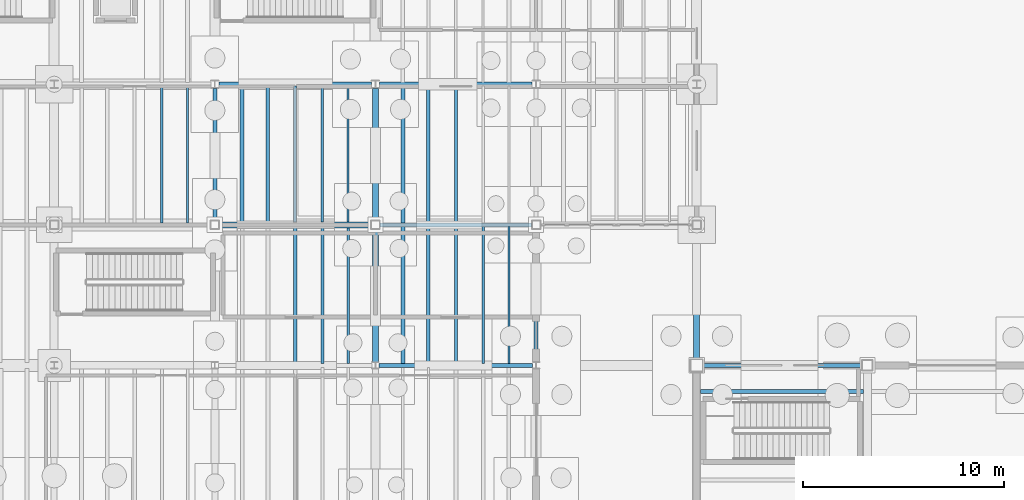
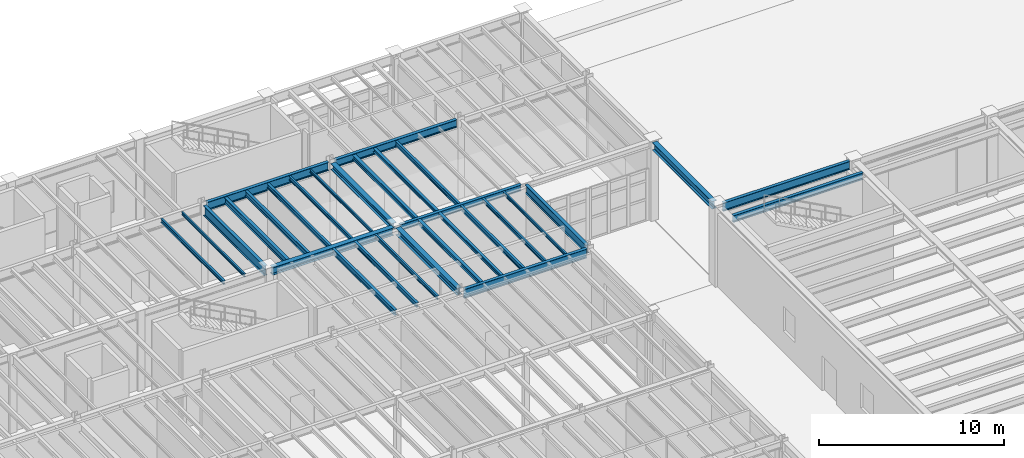
# One storey, part 29 of 86: 30 beams.
"""IFC4 building model written with IfcOpenShell, lengths in metres."""

from ifc_helpers import new_model, si_unit, direction, frame, origin, origin_2d, place, context, subcontext, project, spatial, i_section, extrude, material, material_profile, profile_set, type_object, element, save


model = new_model("IFC4")

# Units and contexts
model_context = context("Model", 3, precision=1e-05, world=origin(), true_north=direction((0.0, 1.0)))
body_context = subcontext(model_context, "Body", "Model", "MODEL_VIEW")
ifc_project = project(units=[si_unit("LENGTHUNIT", "METRE"), si_unit("AREAUNIT", "SQUARE_METRE"), si_unit("VOLUMEUNIT", "CUBIC_METRE"), si_unit("PLANEANGLEUNIT", "RADIAN"), si_unit("MASSUNIT", "GRAM", prefix="KILO"), si_unit("THERMODYNAMICTEMPERATUREUNIT", "KELVIN"), si_unit("POWERUNIT", "WATT")], contexts=[model_context])

# Site, building, storey
site_placement = place(None, origin())
site = spatial("IfcSite", under=ifc_project, at=site_placement, CompositionType="ELEMENT")
building_placement = place(site_placement, origin())
building = spatial("IfcBuilding", under=site, at=building_placement, Name="Zhenchuan Central Fire Station", CompositionType="ELEMENT")
storey_placement = place(building_placement, frame((0.0, 0.0, 0.449951171875)))
storey = spatial("IfcBuildingStorey", under=building, at=storey_placement, Name="L01", CompositionType="ELEMENT", Elevation=0.449951171875)

# Beams
ifc_material = material(Name="Steel Q355B", Category="steel")
ifc_material_profile_1 = material_profile(ifc_material, i_section(OverallWidth=0.300048828125, OverallDepth=0.389892578125, WebThickness=0.010009765625, FlangeThickness=0.01611328125, FilletRadius=0.02001953125, at=origin_2d()), Name="HM 390x300")
ifc_profile_set_1 = profile_set([ifc_material_profile_1], Name="Steel Q355B")
beam_type_1 = type_object("IfcBeamType", Name="BM-HM390-INT", PredefinedType="BEAM", material=ifc_profile_set_1)
beam_1_placement = place(storey_placement, frame((40.0, 42.72509765625, 4.965087890625), z_axis=(0.0, 1.0, 0.0), x_axis=(-1.0, 0.0, 0.0)))
element("IfcBeam", 1, at=beam_1_placement, inside=storey, type_object=beam_type_1, Name="L02 Girder NS 0140", PredefinedType="BEAM", context=body_context, shape_type="SweptSolid", body=[
    extrude(i_section(OverallWidth=0.300048828125, OverallDepth=0.389892578125, WebThickness=0.010009765625, FlangeThickness=0.01611328125, FilletRadius=0.02001953125, at=origin_2d()), origin(), (0.0, 0.0, 1.0), 6.574951171875),
])
ifc_material_profile_2 = material_profile(ifc_material, i_section(OverallWidth=0.300048828125, OverallDepth=0.43994140625, WebThickness=0.010986328125, FlangeThickness=0.01806640625, FilletRadius=0.02197265625, at=origin_2d()), Name="HM 440x300")
ifc_profile_set_2 = profile_set([ifc_material_profile_2], Name="Steel Q355B")
beam_type_2 = type_object("IfcBeamType", Name="BM-HM440-INT", PredefinedType="BEAM", material=ifc_profile_set_2)
beam_2_placement = place(storey_placement, frame((40.0, 35.675048828125, 4.93994140625), z_axis=(0.0, 1.0, 0.0), x_axis=(-1.0, 0.0, 0.0)))
element("IfcBeam", 2, at=beam_2_placement, inside=storey, type_object=beam_type_2, Name="L02 Girder NS 0139", PredefinedType="BEAM", context=body_context, shape_type="SweptSolid", body=[
    extrude(i_section(OverallWidth=0.300048828125, OverallDepth=0.43994140625, WebThickness=0.010986328125, FlangeThickness=0.01806640625, FilletRadius=0.02197265625, at=origin_2d()), origin(), (0.0, 0.0, 1.0), 6.599853515625),
])
ifc_material_profile_3 = material_profile(ifc_material, i_section(OverallWidth=0.300048828125, OverallDepth=0.5, WebThickness=0.010986328125, FlangeThickness=0.01806640625, FilletRadius=0.02197265625, at=origin_2d()), Name="HM 500x300")
ifc_profile_set_3 = profile_set([ifc_material_profile_3], Name="Steel Q355B")
beam_type_3 = type_object("IfcBeamType", Name="BM-HM500-INT", PredefinedType="BEAM", material=ifc_profile_set_3)
beam_3_placement = place(storey_placement, frame((32.22509765625, 42.5, 4.91015625), z_axis=(1.0, 0.0, 0.0), x_axis=(0.0, 1.0, 0.0)))
element("IfcBeam", 3, at=beam_3_placement, inside=storey, type_object=beam_type_3, Name="L02 Girder EW 0076", PredefinedType="BEAM", context=body_context, shape_type="SweptSolid", body=[
    extrude(i_section(OverallWidth=0.300048828125, OverallDepth=0.5, WebThickness=0.010986328125, FlangeThickness=0.01806640625, FilletRadius=0.02197265625, at=origin_2d()), origin(), (0.0, 0.0, 1.0), 7.5498046875),
])
beam_4_placement = place(storey_placement, frame((56.0, 35.824951171875, 4.949951171875), z_axis=(0.0, 1.0, 0.0), x_axis=(-1.0, 0.0, 0.0)))
element("IfcBeam", 4, at=beam_4_placement, inside=storey, type_object=beam_type_3, Name="L02 Girder NS 0149", PredefinedType="BEAM", context=body_context, shape_type="SweptSolid", body=[
    extrude(i_section(OverallWidth=0.300048828125, OverallDepth=0.5, WebThickness=0.010986328125, FlangeThickness=0.01806640625, FilletRadius=0.02197265625, at=origin_2d()), origin(), (0.0, 0.0, 1.0), 6.449951171875),
])
ifc_material_profile_4 = material_profile(ifc_material, i_section(OverallWidth=0.199951171875, OverallDepth=0.449951171875, WebThickness=0.009033203125, FlangeThickness=0.013916015625, FilletRadius=0.01806640625, at=origin_2d()), Name="HN 450x200")
ifc_profile_set_4 = profile_set([ifc_material_profile_4], Name="Steel Q355B")
beam_type_4 = type_object("IfcBeamType", Name="BM-HN450", PredefinedType="BEAM", material=ifc_profile_set_4)
beam_5_placement = place(storey_placement, frame((56.197021484375, 34.199951171875, 4.97509765625), z_axis=(1.0, 0.0, 0.0), x_axis=(0.0, 1.0, 0.0)))
element("IfcBeam", 5, at=beam_5_placement, inside=storey, type_object=beam_type_4, Name="Appliance Hall Secondary Floor Joist 0844", PredefinedType="BEAM", context=body_context, shape_type="SweptSolid", body=[
    extrude(i_section(OverallWidth=0.199951171875, OverallDepth=0.449951171875, WebThickness=0.009033203125, FlangeThickness=0.013916015625, FilletRadius=0.01806640625, at=origin_2d()), origin(), (0.0, 0.0, 1.0), 8.10595703125),
])
ifc_material_profile_5 = material_profile(ifc_material, i_section(OverallWidth=0.199951171875, OverallDepth=0.5, WebThickness=0.010009765625, FlangeThickness=0.01611328125, FilletRadius=0.02001953125, at=origin_2d()), Name="HN 500x200")
ifc_profile_set_5 = profile_set([ifc_material_profile_5], Name="Steel Q355B")
beam_type_5 = type_object("IfcBeamType", Name="BM-HN500-INT", PredefinedType="BEAM", material=ifc_profile_set_5)
beam_6_placement = place(storey_placement, frame((40.199951171875, 49.5, 4.949951171875), z_axis=(1.0, 0.0, 0.0), x_axis=(0.0, 1.0, 0.0)))
element("IfcBeam", 6, at=beam_6_placement, inside=storey, type_object=beam_type_5, Name="L02 Girder EW 0088", PredefinedType="BEAM", context=body_context, shape_type="SweptSolid", body=[
    extrude(i_section(OverallWidth=0.199951171875, OverallDepth=0.5, WebThickness=0.010009765625, FlangeThickness=0.01611328125, FilletRadius=0.02001953125, at=origin_2d()), origin(), (0.0, 0.0, 1.0), 7.60009765625),
])
ifc_material_profile_6 = material_profile(ifc_material, i_section(OverallWidth=0.199951171875, OverallDepth=0.550048828125, WebThickness=0.010009765625, FlangeThickness=0.01611328125, FilletRadius=0.02001953125, at=origin_2d()), Name="HN 550x200")
ifc_profile_set_6 = profile_set([ifc_material_profile_6], Name="Steel Q355B")
beam_type_6 = type_object("IfcBeamType", Name="BM-HN550-INT", PredefinedType="BEAM", material=ifc_profile_set_6)
beam_7_placement = place(storey_placement, frame((56.324951171875, 35.5, 4.925048828125), z_axis=(1.0, 0.0, 0.0), x_axis=(0.0, 1.0, 0.0)))
element("IfcBeam", 7, at=beam_7_placement, inside=storey, type_object=beam_type_6, Name="L02 Girder EW 0059", PredefinedType="BEAM", context=body_context, shape_type="SweptSolid", body=[
    extrude(i_section(OverallWidth=0.199951171875, OverallDepth=0.550048828125, WebThickness=0.010009765625, FlangeThickness=0.01611328125, FilletRadius=0.02001953125, at=origin_2d()), origin(), (0.0, 0.0, 1.0), 7.900146484375),
])
beam_8_placement = place(storey_placement, frame((32.199951171875, 49.5, 4.925048828125), z_axis=(1.0, 0.0, 0.0), x_axis=(0.0, 1.0, 0.0)))
element("IfcBeam", 8, at=beam_8_placement, inside=storey, type_object=beam_type_6, Name="L02 Girder EW 0087", PredefinedType="BEAM", context=body_context, shape_type="SweptSolid", body=[
    extrude(i_section(OverallWidth=0.199951171875, OverallDepth=0.550048828125, WebThickness=0.010009765625, FlangeThickness=0.01611328125, FilletRadius=0.02001953125, at=origin_2d()), origin(), (0.0, 0.0, 1.0), 7.60009765625),
])
beam_9_placement = place(storey_placement, frame((48.0, 35.675048828125, 4.925048828125), z_axis=(0.0, 1.0, 0.0), x_axis=(-1.0, 0.0, 0.0)))
element("IfcBeam", 9, at=beam_9_placement, inside=storey, type_object=beam_type_6, Name="L02 Girder NS 0146", PredefinedType="BEAM", context=body_context, shape_type="SweptSolid", body=[
    extrude(i_section(OverallWidth=0.199951171875, OverallDepth=0.550048828125, WebThickness=0.010009765625, FlangeThickness=0.01611328125, FilletRadius=0.02001953125, at=origin_2d()), origin(), (0.0, 0.0, 1.0), 6.599853515625),
])
ifc_material_profile_7 = material_profile(ifc_material, i_section(OverallWidth=0.199951171875, OverallDepth=0.60009765625, WebThickness=0.010986328125, FlangeThickness=0.01708984375, FilletRadius=0.02197265625, at=origin_2d()), Name="HN 600x200")
ifc_profile_set_7 = profile_set([ifc_material_profile_7], Name="Steel Q355B")
beam_type_7 = type_object("IfcBeamType", Name="BM-HN600-INT", PredefinedType="BEAM", material=ifc_profile_set_7)
beam_10_placement = place(storey_placement, frame((40.175048828125, 35.5, 4.860107421875), z_axis=(1.0, 0.0, 0.0), x_axis=(0.0, 1.0, 0.0)))
element("IfcBeam", 10, at=beam_10_placement, inside=storey, type_object=beam_type_7, Name="L02 Girder EW 0058", PredefinedType="BEAM", context=body_context, shape_type="SweptSolid", body=[
    extrude(i_section(OverallWidth=0.199951171875, OverallDepth=0.60009765625, WebThickness=0.010986328125, FlangeThickness=0.01708984375, FilletRadius=0.02197265625, at=origin_2d()), origin(), (0.0, 0.0, 1.0), 7.64990234375),
])
ifc_material_profile_8 = material_profile(ifc_material, i_section(OverallWidth=0.199951171875, OverallDepth=0.64990234375, WebThickness=0.011962890625, FlangeThickness=0.02001953125, FilletRadius=0.02197265625, at=origin_2d()), Name="HN 650x200")
ifc_profile_set_8 = profile_set([ifc_material_profile_8], Name="Steel Q355B")
beam_type_8 = type_object("IfcBeamType", Name="BM-HN650", PredefinedType="BEAM", material=ifc_profile_set_8)
beam_11_placement = place(storey_placement, frame((32.0, 42.72509765625, 4.8349609375), z_axis=(0.0, 1.0, 0.0), x_axis=(-1.0, 0.0, 0.0)))
element("IfcBeam", 11, at=beam_11_placement, inside=storey, type_object=beam_type_8, Name="L02 Girder NS 0133", PredefinedType="BEAM", context=body_context, shape_type="SweptSolid", body=[
    extrude(i_section(OverallWidth=0.199951171875, OverallDepth=0.64990234375, WebThickness=0.011962890625, FlangeThickness=0.02001953125, FilletRadius=0.02197265625, at=origin_2d()), origin(), (0.0, 0.0, 1.0), 6.574951171875),
])
ifc_material_profile_9 = material_profile(ifc_material, i_section(OverallWidth=0.175048828125, OverallDepth=0.243896484375, WebThickness=0.007080078125, FlangeThickness=0.010986328125, FilletRadius=0.012939453125, at=origin_2d()), Name="HM 244x175")
ifc_profile_set_9 = profile_set([ifc_material_profile_9], Name="Steel Q355B")
beam_type_9 = type_object("IfcBeamType", Name="JS-HM244", PredefinedType="JOIST", material=ifc_profile_set_9)
for number, where, z_axis, x_axis, name in (
    (12, (42.639892578125, 35.596923828125, 5.0380859375), (0.0, 1.0, 0.0), (-1.0, 0.0, 0.0), "L02 Secondary Joist 0195"),
    (13, (42.639892578125, 42.596923828125, 5.0380859375), (0.0, 1.0, 0.0), (-1.0, 0.0, 0.0), "L02 Secondary Joist 0245"),
):
    element("IfcBeam", number, at=place(storey_placement, frame(where, z_axis=z_axis, x_axis=x_axis)), inside=storey, type_object=beam_type_9, Name=name, PredefinedType="JOIST", context=body_context, shape_type="SweptSolid", body=[
        extrude(i_section(OverallWidth=0.175048828125, OverallDepth=0.243896484375, WebThickness=0.007080078125, FlangeThickness=0.010986328125, FilletRadius=0.012939453125, at=origin_2d()), origin(), (0.0, 0.0, 1.0), 6.80615234375),
    ])
ifc_material_profile_10 = material_profile(ifc_material, i_section(OverallWidth=0.199951171875, OverallDepth=0.2939453125, WebThickness=0.008056640625, FlangeThickness=0.011962890625, FilletRadius=0.01611328125, at=origin_2d()), Name="HM 294x200")
ifc_profile_set_10 = profile_set([ifc_material_profile_10], Name="Steel Q355B")
beam_type_10 = type_object("IfcBeamType", Name="JS-HM294", PredefinedType="JOIST", material=ifc_profile_set_10)
for number, where, z_axis, x_axis, name in (
    (14, (41.360107421875, 35.596923828125, 5.012939453125), (0.0, 1.0, 0.0), (-1.0, 0.0, 0.0), "L02 Secondary Joist 0194"),
    (15, (41.360107421875, 42.596923828125, 5.012939453125), (0.0, 1.0, 0.0), (-1.0, 0.0, 0.0), "L02 Secondary Joist 0244"),
):
    element("IfcBeam", number, at=place(storey_placement, frame(where, z_axis=z_axis, x_axis=x_axis)), inside=storey, type_object=beam_type_10, Name=name, PredefinedType="JOIST", context=body_context, shape_type="SweptSolid", body=[
        extrude(i_section(OverallWidth=0.199951171875, OverallDepth=0.2939453125, WebThickness=0.008056640625, FlangeThickness=0.011962890625, FilletRadius=0.01611328125, at=origin_2d()), origin(), (0.0, 0.0, 1.0), 6.80615234375),
    ])
ifc_material_profile_11 = material_profile(ifc_material, i_section(OverallWidth=0.10009765625, OverallDepth=0.199951171875, WebThickness=0.005615234375, FlangeThickness=0.008056640625, FilletRadius=0.010986328125, at=origin_2d()), Name="HN 200x100")
ifc_profile_set_11 = profile_set([ifc_material_profile_11], Name="Steel Q355B")
beam_type_11 = type_object("IfcBeamType", Name="JS-HN200", PredefinedType="JOIST", material=ifc_profile_set_11)
for number, where, z_axis, x_axis, name in (
    (16, (46.639892578125, 35.596923828125, 5.06005859375), (0.0, 1.0, 0.0), (-1.0, 0.0, 0.0), "L02 Secondary Joist 0198"),
    (17, (30.639892578125, 42.596923828125, 5.06005859375), (0.0, 1.0, 0.0), (-1.0, 0.0, 0.0), "L02 Secondary Joist 0238"),
):
    element("IfcBeam", number, at=place(storey_placement, frame(where, z_axis=z_axis, x_axis=x_axis)), inside=storey, type_object=beam_type_11, Name=name, PredefinedType="JOIST", context=body_context, shape_type="SweptSolid", body=[
        extrude(i_section(OverallWidth=0.10009765625, OverallDepth=0.199951171875, WebThickness=0.005615234375, FlangeThickness=0.008056640625, FilletRadius=0.010986328125, at=origin_2d()), origin(), (0.0, 0.0, 1.0), 6.80615234375),
    ])
beam_12_placement = place(storey_placement, frame((38.639892578125, 42.64697265625, 5.06005859375), z_axis=(0.0, 1.0, 0.0), x_axis=(-1.0, 0.0, 0.0)))
element("IfcBeam", 18, at=beam_12_placement, inside=storey, type_object=beam_type_11, Name="L02 Secondary Joist 0243", PredefinedType="JOIST", context=body_context, shape_type="SweptSolid", body=[
    extrude(i_section(OverallWidth=0.10009765625, OverallDepth=0.199951171875, WebThickness=0.005615234375, FlangeThickness=0.008056640625, FilletRadius=0.010986328125, at=origin_2d()), origin(), (0.0, 0.0, 1.0), 6.756103515625),
])
ifc_material_profile_12 = material_profile(ifc_material, i_section(OverallWidth=0.125, OverallDepth=0.25, WebThickness=0.006103515625, FlangeThickness=0.009033203125, FilletRadius=0.011962890625, at=origin_2d()), Name="HN 250x125")
ifc_profile_set_12 = profile_set([ifc_material_profile_12], Name="Steel Q355B")
beam_type_12 = type_object("IfcBeamType", Name="JS-HN250", PredefinedType="JOIST", material=ifc_profile_set_12)
beam_13_placement = place(storey_placement, frame((38.639892578125, 35.596923828125, 5.03515625), z_axis=(0.0, 1.0, 0.0), x_axis=(-1.0, 0.0, 0.0)))
element("IfcBeam", 19, at=beam_13_placement, inside=storey, type_object=beam_type_12, Name="L02 Secondary Joist 0193", PredefinedType="JOIST", context=body_context, shape_type="SweptSolid", body=[
    extrude(i_section(OverallWidth=0.125, OverallDepth=0.25, WebThickness=0.006103515625, FlangeThickness=0.009033203125, FilletRadius=0.011962890625, at=origin_2d()), origin(), (0.0, 0.0, 1.0), 6.756103515625),
])
for number, where, z_axis, x_axis, name in (
    (20, (45.360107421875, 35.596923828125, 5.03515625), (0.0, 1.0, 0.0), (-1.0, 0.0, 0.0), "L02 Secondary Joist 0197"),
    (21, (29.360107421875, 42.596923828125, 5.03515625), (0.0, 1.0, 0.0), (-1.0, 0.0, 0.0), "L02 Secondary Joist 0237"),
):
    element("IfcBeam", number, at=place(storey_placement, frame(where, z_axis=z_axis, x_axis=x_axis)), inside=storey, type_object=beam_type_12, Name=name, PredefinedType="JOIST", context=body_context, shape_type="SweptSolid", body=[
        extrude(i_section(OverallWidth=0.125, OverallDepth=0.25, WebThickness=0.006103515625, FlangeThickness=0.009033203125, FilletRadius=0.011962890625, at=origin_2d()), origin(), (0.0, 0.0, 1.0), 6.80615234375),
    ])
beam_14_placement = place(storey_placement, frame((37.360107421875, 42.64697265625, 5.03515625), z_axis=(0.0, 1.0, 0.0), x_axis=(-1.0, 0.0, 0.0)))
element("IfcBeam", 22, at=beam_14_placement, inside=storey, type_object=beam_type_12, Name="L02 Secondary Joist 0242", PredefinedType="JOIST", context=body_context, shape_type="SweptSolid", body=[
    extrude(i_section(OverallWidth=0.125, OverallDepth=0.25, WebThickness=0.006103515625, FlangeThickness=0.009033203125, FilletRadius=0.011962890625, at=origin_2d()), origin(), (0.0, 0.0, 1.0), 6.756103515625),
])
ifc_material_profile_13 = material_profile(ifc_material, i_section(OverallWidth=0.14990234375, OverallDepth=0.300048828125, WebThickness=0.006591796875, FlangeThickness=0.009033203125, FilletRadius=0.012939453125, at=origin_2d()), Name="HN 300x150")
ifc_profile_set_13 = profile_set([ifc_material_profile_13], Name="Steel Q355B")
beam_type_13 = type_object("IfcBeamType", Name="JS-HN300", PredefinedType="JOIST", material=ifc_profile_set_13)
beam_15_placement = place(storey_placement, frame((37.360107421875, 35.596923828125, 5.010009765625), z_axis=(0.0, 1.0, 0.0), x_axis=(-1.0, 0.0, 0.0)))
element("IfcBeam", 23, at=beam_15_placement, inside=storey, type_object=beam_type_13, Name="L02 Secondary Joist 0192", PredefinedType="JOIST", context=body_context, shape_type="SweptSolid", body=[
    extrude(i_section(OverallWidth=0.14990234375, OverallDepth=0.300048828125, WebThickness=0.006591796875, FlangeThickness=0.009033203125, FilletRadius=0.012939453125, at=origin_2d()), origin(), (0.0, 0.0, 1.0), 6.756103515625),
])
beam_16_placement = place(storey_placement, frame((44.0, 35.596923828125, 5.010009765625), z_axis=(0.0, 1.0, 0.0), x_axis=(-1.0, 0.0, 0.0)))
element("IfcBeam", 24, at=beam_16_placement, inside=storey, type_object=beam_type_13, Name="L02 Secondary Joist 0196", PredefinedType="JOIST", context=body_context, shape_type="SweptSolid", body=[
    extrude(i_section(OverallWidth=0.14990234375, OverallDepth=0.300048828125, WebThickness=0.006591796875, FlangeThickness=0.009033203125, FilletRadius=0.012939453125, at=origin_2d()), origin(), (0.0, 0.0, 1.0), 6.80615234375),
])
beam_17_placement = place(storey_placement, frame((36.0, 42.64697265625, 5.010009765625), z_axis=(0.0, 1.0, 0.0), x_axis=(-1.0, 0.0, 0.0)))
element("IfcBeam", 25, at=beam_17_placement, inside=storey, type_object=beam_type_13, Name="L02 Secondary Joist 0241", PredefinedType="JOIST", context=body_context, shape_type="SweptSolid", body=[
    extrude(i_section(OverallWidth=0.14990234375, OverallDepth=0.300048828125, WebThickness=0.006591796875, FlangeThickness=0.009033203125, FilletRadius=0.012939453125, at=origin_2d()), origin(), (0.0, 0.0, 1.0), 6.756103515625),
])
beam_18_placement = place(storey_placement, frame((44.0, 42.596923828125, 5.010009765625), z_axis=(0.0, 1.0, 0.0), x_axis=(-1.0, 0.0, 0.0)))
element("IfcBeam", 26, at=beam_18_placement, inside=storey, type_object=beam_type_13, Name="L02 Secondary Joist 0246", PredefinedType="JOIST", context=body_context, shape_type="SweptSolid", body=[
    extrude(i_section(OverallWidth=0.14990234375, OverallDepth=0.300048828125, WebThickness=0.006591796875, FlangeThickness=0.009033203125, FilletRadius=0.012939453125, at=origin_2d()), origin(), (0.0, 0.0, 1.0), 6.80615234375),
])
ifc_material_profile_14 = material_profile(ifc_material, i_section(OverallWidth=0.175048828125, OverallDepth=0.35009765625, WebThickness=0.007080078125, FlangeThickness=0.010986328125, FilletRadius=0.013916015625, at=origin_2d()), Name="HN 350x175")
ifc_profile_set_14 = profile_set([ifc_material_profile_14], Name="Steel Q355B")
beam_type_14 = type_object("IfcBeamType", Name="JS-HN350", PredefinedType="JOIST", material=ifc_profile_set_14)
for number, where, z_axis, x_axis, name in (
    (27, (36.0, 35.596923828125, 4.985107421875), (0.0, 1.0, 0.0), (-1.0, 0.0, 0.0), "L02 Secondary Joist 0191"),
    (28, (34.639892578125, 42.64697265625, 4.985107421875), (0.0, 1.0, 0.0), (-1.0, 0.0, 0.0), "L02 Secondary Joist 0240"),
):
    element("IfcBeam", number, at=place(storey_placement, frame(where, z_axis=z_axis, x_axis=x_axis)), inside=storey, type_object=beam_type_14, Name=name, PredefinedType="JOIST", context=body_context, shape_type="SweptSolid", body=[
        extrude(i_section(OverallWidth=0.175048828125, OverallDepth=0.35009765625, WebThickness=0.007080078125, FlangeThickness=0.010986328125, FilletRadius=0.013916015625, at=origin_2d()), origin(), (0.0, 0.0, 1.0), 6.756103515625),
    ])
ifc_material_profile_15 = material_profile(ifc_material, i_section(OverallWidth=0.199951171875, OverallDepth=0.39990234375, WebThickness=0.008056640625, FlangeThickness=0.012939453125, FilletRadius=0.01611328125, at=origin_2d()), Name="HN 400x200")
ifc_profile_set_15 = profile_set([ifc_material_profile_15], Name="Steel Q355B")
beam_type_15 = type_object("IfcBeamType", Name="JS-HN400", PredefinedType="JOIST", material=ifc_profile_set_15)
beam_19_placement = place(storey_placement, frame((33.360107421875, 42.64697265625, 4.9599609375), z_axis=(0.0, 1.0, 0.0), x_axis=(-1.0, 0.0, 0.0)))
element("IfcBeam", 29, at=beam_19_placement, inside=storey, type_object=beam_type_15, Name="L02 Secondary Joist 0239", PredefinedType="JOIST", context=body_context, shape_type="SweptSolid", body=[
    extrude(i_section(OverallWidth=0.199951171875, OverallDepth=0.39990234375, WebThickness=0.008056640625, FlangeThickness=0.012939453125, FilletRadius=0.01611328125, at=origin_2d()), origin(), (0.0, 0.0, 1.0), 6.756103515625),
])
ifc_material_profile_16 = material_profile(ifc_material, i_section(OverallWidth=0.199951171875, OverallDepth=0.39990234375, WebThickness=0.008056640625, FlangeThickness=0.012939453125, FilletRadius=0.01611328125, at=origin_2d()), Name="HN 400x200")
ifc_profile_set_16 = profile_set([ifc_material_profile_16], Name="Steel Q355B")
beam_type_16 = type_object("IfcBeamType", Name="SP-HN400-INT", PredefinedType="SPANDREL", material=ifc_profile_set_16)
beam_20_placement = place(storey_placement, frame((40.22509765625, 42.5, 4.9599609375), z_axis=(1.0, 0.0, 0.0), x_axis=(0.0, 1.0, 0.0)))
element("IfcBeam", 30, at=beam_20_placement, inside=storey, type_object=beam_type_16, Name="L02 Girder EW 0077", PredefinedType="SPANDREL", context=body_context, shape_type="SweptSolid", body=[
    extrude(i_section(OverallWidth=0.199951171875, OverallDepth=0.39990234375, WebThickness=0.008056640625, FlangeThickness=0.012939453125, FilletRadius=0.01611328125, at=origin_2d()), origin(), (0.0, 0.0, 1.0), 7.5498046875),
])

save(model, "model.ifc")
